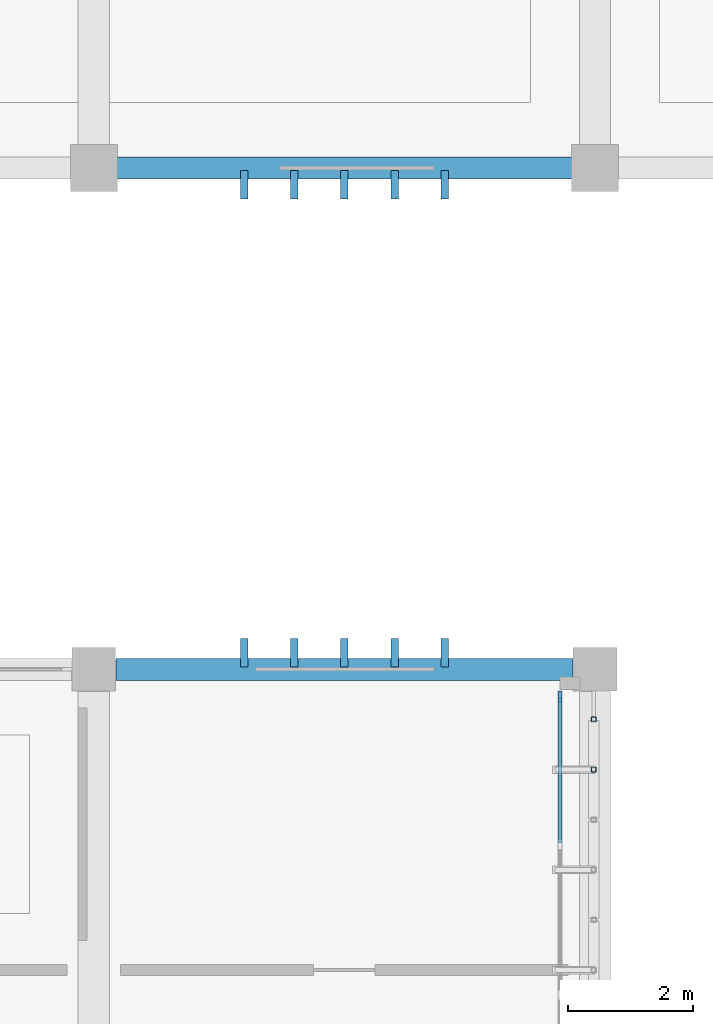
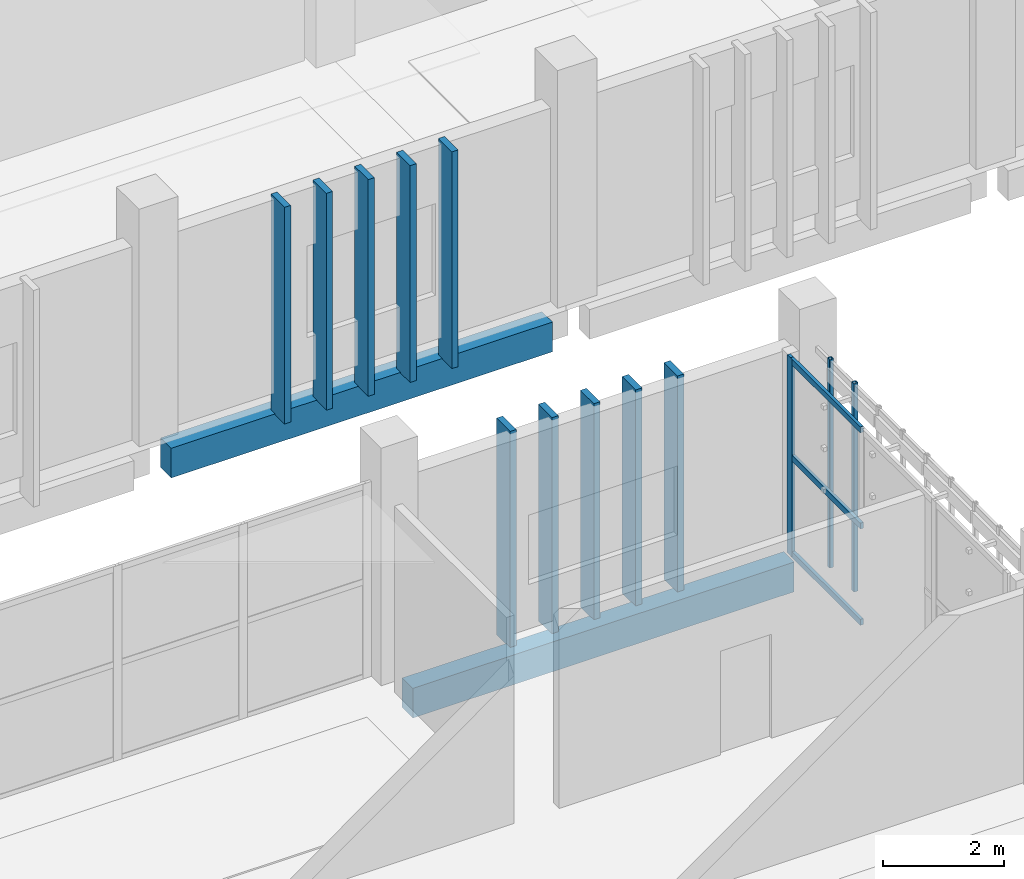
# One storey, part 48 of 117: 16 members, 2 beams, 1 element without a shape of its own.
"""IFC4 building model written with IfcOpenShell, lengths in metres."""

from ifc_helpers import new_model, si_unit, direction, frame, origin, origin_2d, place, context, subcontext, project, spatial, rectangle, hollow_rectangle, extrude, material, layer, layer_set, material_profile, profile_set, type_object, element, aggregate, save


model = new_model("IFC4")

# Units and contexts
model_context = context("Model", 3, precision=1e-05, world=origin(), true_north=direction((0.0, 1.0)))
body_context = subcontext(model_context, "Body", "Model", "MODEL_VIEW")
ifc_project = project(units=[si_unit("LENGTHUNIT", "METRE"), si_unit("AREAUNIT", "SQUARE_METRE"), si_unit("VOLUMEUNIT", "CUBIC_METRE"), si_unit("PLANEANGLEUNIT", "RADIAN"), si_unit("MASSUNIT", "GRAM", prefix="KILO")], contexts=[model_context])

# Site, building, storey
site_placement = place(None, origin())
site = spatial("IfcSite", under=ifc_project, at=site_placement, CompositionType="ELEMENT")
building_placement = place(site_placement, origin())
building = spatial("IfcBuilding", under=site, at=building_placement, Name="Jelvoka-Kovrelna Polytechnic", CompositionType="ELEMENT")
storey_placement = place(building_placement, origin())
storey = spatial("IfcBuildingStorey", under=building, at=storey_placement, Name="L01", CompositionType="ELEMENT", Elevation=0.0)

# Members
ifc_material_1 = material(Name="Precast concrete C40/50", Category="concrete")
ifc_material_profile_1 = material_profile(ifc_material_1, rectangle(XDim=0.1201171875, YDim=0.449951171875, at=origin_2d()), Name="PC 120x450")
ifc_profile_set_1 = profile_set([ifc_material_profile_1], Name="Precast concrete C40/50")
member_type_1 = type_object("IfcMemberType", Name="Louvre_Fin_120x450", PredefinedType="USERDEFINED", material=ifc_profile_set_1)
for number, where, z_axis, x_axis, name in (
    (1, (106.39990234375, 48.264892578125, -0.419921875), (0.0, 0.0, 1.0), (1.0, 0.0, 0.0), "L01 B2W north vertical solar louvre fin 0596"),
    (2, (107.199951171875, 48.264892578125, -0.419921875), (0.0, 0.0, 1.0), (1.0, 0.0, 0.0), "L01 B2W north vertical solar louvre fin 0597"),
    (3, (108.0, 48.264892578125, -0.419921875), (0.0, 0.0, 1.0), (1.0, 0.0, 0.0), "L01 B2W north vertical solar louvre fin 0598"),
    (4, (108.800048828125, 48.264892578125, -0.419921875), (0.0, 0.0, 1.0), (1.0, 0.0, 0.0), "L01 B2W north vertical solar louvre fin 0599"),
    (5, (109.60009765625, 48.264892578125, -0.419921875), (0.0, 0.0, 1.0), (1.0, 0.0, 0.0), "L01 B2W north vertical solar louvre fin 0600"),
    (6, (106.39990234375, 55.735107421875, -0.419921875), (0.0, 0.0, 1.0), (1.0, 0.0, 0.0), "L01 B3 south vertical solar louvre fin 1236"),
    (7, (107.199951171875, 55.735107421875, -0.419921875), (0.0, 0.0, 1.0), (1.0, 0.0, 0.0), "L01 B3 south vertical solar louvre fin 1237"),
    (8, (108.0, 55.735107421875, -0.419921875), (0.0, 0.0, 1.0), (1.0, 0.0, 0.0), "L01 B3 south vertical solar louvre fin 1238"),
    (9, (108.800048828125, 55.735107421875, -0.419921875), (0.0, 0.0, 1.0), (1.0, 0.0, 0.0), "L01 B3 south vertical solar louvre fin 1239"),
    (10, (109.60009765625, 55.735107421875, -0.419921875), (0.0, 0.0, 1.0), (1.0, 0.0, 0.0), "L01 B3 south vertical solar louvre fin 1240"),
):
    element("IfcMember", number, at=place(storey_placement, frame(where, z_axis=z_axis, x_axis=x_axis)), inside=storey, type_object=member_type_1, Name=name, ObjectType="SUNSHADE", PredefinedType="USERDEFINED", context=body_context, shape_type="SweptSolid", body=[
        extrude(rectangle(XDim=0.1201171875, YDim=0.449951171875, at=origin_2d()), origin(), (0.0, 0.0, 1.0), 4.3798828125),
    ])
ifc_material_2 = material(Name="Structural steel S355J2H", Category="steel")
ifc_material_profile_2 = material_profile(ifc_material_2, hollow_rectangle(XDim=0.080078125, YDim=0.080078125, WallThickness=0.0048828125, InnerFilletRadius=0.0048828125, OuterFilletRadius=0.007568359375, at=origin_2d()), Name="80x80x5.0 SHS")
ifc_profile_set_2 = profile_set([ifc_material_profile_2], Name="Structural steel S355J2H")
member_type_2 = type_object("IfcMemberType", Name="Member_Strut_SHS80", PredefinedType="STRUT", material=ifc_profile_set_2)
for number, where, z_axis, x_axis, name in (
    (11, (111.97998046875, 46.39990234375, -0.22998046875), (0.0, 0.0, 1.0), (1.0, 0.0, 0.0), "L01 terracotta lattice vertical rib 0129"),
    (12, (111.97998046875, 47.199951171875, -0.22998046875), (0.0, 0.0, 1.0), (1.0, 0.0, 0.0), "L01 terracotta lattice vertical rib 0130"),
):
    element("IfcMember", number, at=place(storey_placement, frame(where, z_axis=z_axis, x_axis=x_axis)), inside=storey, type_object=member_type_2, Name=name, PredefinedType="STRUT", context=body_context, shape_type="SweptSolid", body=[
        extrude(hollow_rectangle(XDim=0.080078125, YDim=0.080078125, WallThickness=0.0048828125, InnerFilletRadius=0.0048828125, OuterFilletRadius=0.007568359375, at=origin_2d()), origin(), (0.0, 0.0, 1.0), 4.2099609375),
    ])

# Curtain wall, member
ifc_material_3 = material(Name="Anodised aluminium 6063-T6", Category="aluminium")
ifc_layer = layer(ifc_material_3, 0.159912109375)
ifc_layer_set = layer_set([ifc_layer], Name="Anodised aluminium 6063-T6")
curtain_wall_type = type_object("IfcCurtainWallType", Name="CW_Recessed_A", PredefinedType="NOTDEFINED", material=ifc_layer_set)
curtain_wall_placement = place(storey_placement, origin())
curtain_wall = element("IfcCurtainWall", 13, at=curtain_wall_placement, inside=storey, type_object=curtain_wall_type, Name="L01 glazed curtain wall 014", PredefinedType="NOTDEFINED")
ifc_material_4 = material(Name="Anodised aluminium 6063-T6", Category="aluminium")
ifc_material_profile_3 = material_profile(ifc_material_4, rectangle(XDim=0.06005859375, YDim=0.159912109375, at=origin_2d()), Name="ALU 60x160")
ifc_profile_set_3 = profile_set([ifc_material_profile_3], Name="Anodised aluminium 6063-T6")
member_type_3 = type_object("IfcMemberType", Name="Mullion_M-01", PredefinedType="MULLION", material=ifc_profile_set_3)
member_1_placement = place(storey_placement, frame((111.43994140625, 47.570068359375, -0.02490234375), z_axis=(0.0, 0.0, 1.0), x_axis=(1.0, 0.0, 0.0)))
member_1 = element("IfcMember", 14, at=member_1_placement, type_object=member_type_3, Name="CW-01 mullion 1", PredefinedType="MULLION", context=body_context, shape_type="SweptSolid", body=[
    extrude(rectangle(XDim=0.06005859375, YDim=0.159912109375, at=origin_2d()), origin(), (0.0, 0.0, 1.0), 4.0),
])

# Beams
ifc_material_5 = material(Name="Concrete C40/50", Category="concrete")
ifc_material_profile_4 = material_profile(ifc_material_5, rectangle(XDim=0.35009765625, YDim=0.60009765625, at=origin_2d()), Name="RC 350x600")
ifc_profile_set_4 = profile_set([ifc_material_profile_4], Name="Concrete C40/50")
beam_type = type_object("IfcBeamType", Name="Spandrel_RC_350x600", PredefinedType="SPANDREL", material=ifc_profile_set_4)
for number, where, z_axis, x_axis, name in (
    (15, (104.35498046875, 48.0, -0.705078125), (1.0, 0.0, 0.0), (0.0, 1.0, 0.0), "L01 beam 0385"),
    (16, (104.35498046875, 56.0, -0.705078125), (1.0, 0.0, 0.0), (0.0, 1.0, 0.0), "L01 beam 0449"),
):
    element("IfcBeam", number, at=place(storey_placement, frame(where, z_axis=z_axis, x_axis=x_axis)), inside=storey, type_object=beam_type, Name=name, PredefinedType="SPANDREL", context=body_context, shape_type="SweptSolid", body=[
        extrude(rectangle(XDim=0.35009765625, YDim=0.60009765625, at=origin_2d()), origin(), (0.0, 0.0, 1.0), 7.2900390625),
    ])

# Member
ifc_material_6 = material(Name="Anodised aluminium 6063-T6", Category="aluminium")
ifc_material_profile_5 = material_profile(ifc_material_6, rectangle(XDim=0.06005859375, YDim=0.1201171875, at=origin_2d()), Name="ALU 60x120")
ifc_profile_set_5 = profile_set([ifc_material_profile_5], Name="Anodised aluminium 6063-T6")
member_type_4 = type_object("IfcMemberType", Name="Transom_T-01", PredefinedType="USERDEFINED", material=ifc_profile_set_5)
member_2_placement = place(storey_placement, frame((111.43994140625, 47.5400390625, 0.030029296875), z_axis=(0.0, -1.0, 0.0), x_axis=(1.0, 0.0, 0.0)))
member_2 = element("IfcMember", 17, at=member_2_placement, type_object=member_type_4, Name="CW-01 transom 1.1", ObjectType="TRANSOM", PredefinedType="USERDEFINED", context=body_context, shape_type="SweptSolid", body=[
    extrude(rectangle(XDim=0.06005859375, YDim=0.1201171875, at=origin_2d()), origin(), (0.0, 0.0, 1.0), 2.31005859375),
])

member_3_placement = place(storey_placement, frame((111.43994140625, 47.5400390625, 1.97509765625), z_axis=(0.0, -1.0, 0.0), x_axis=(1.0, 0.0, 0.0)))
member_3 = element("IfcMember", 18, at=member_3_placement, type_object=member_type_4, Name="CW-01 transom 1.2", ObjectType="TRANSOM", PredefinedType="USERDEFINED", context=body_context, shape_type="SweptSolid", body=[
    extrude(rectangle(XDim=0.06005859375, YDim=0.1201171875, at=origin_2d()), origin(), (0.0, 0.0, 1.0), 2.31005859375),
])

member_4_placement = place(storey_placement, frame((111.43994140625, 47.5400390625, 3.919921875), z_axis=(0.0, -1.0, 0.0), x_axis=(1.0, 0.0, 0.0)))
member_4 = element("IfcMember", 19, at=member_4_placement, type_object=member_type_4, Name="CW-01 transom 1.3", ObjectType="TRANSOM", PredefinedType="USERDEFINED", context=body_context, shape_type="SweptSolid", body=[
    extrude(rectangle(XDim=0.06005859375, YDim=0.1201171875, at=origin_2d()), origin(), (0.0, 0.0, 1.0), 2.31005859375),
])

aggregate(curtain_wall, [member_1, member_2, member_3, member_4])

save(model, "model.ifc")
